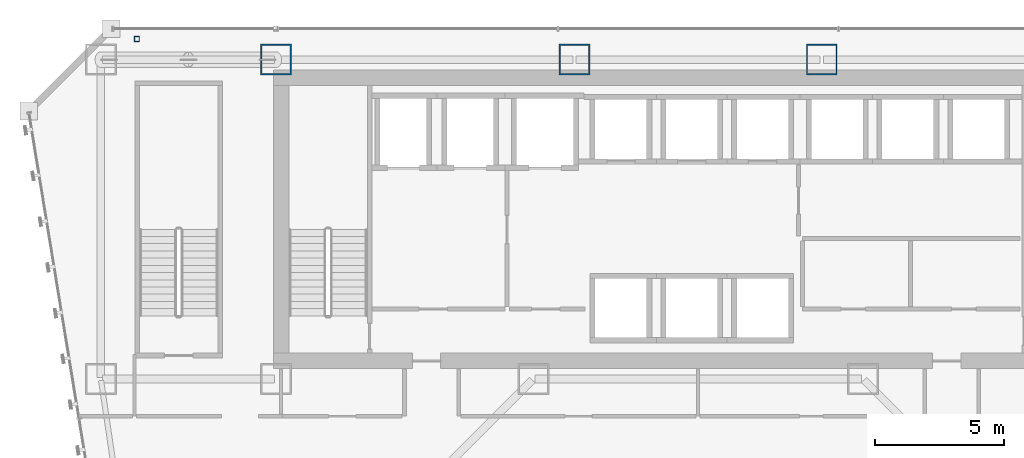
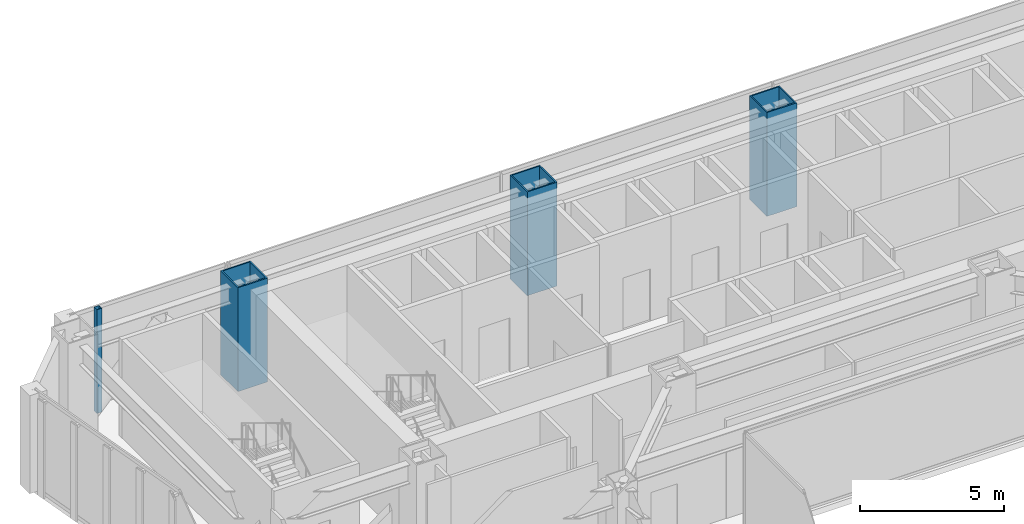
# One storey, part 2 of 47: 4 columns.
"""IFC4 building model written with IfcOpenShell, lengths in metres."""

from ifc_helpers import new_model, si_unit, direction, frame, origin, origin_2d, place, context, subcontext, project, spatial, hollow_rectangle, extrude, material, material_profile, profile_set, type_object, element, save


model = new_model("IFC4")

# Units and contexts
model_context = context("Model", 3, precision=1e-05, world=origin(), true_north=direction((0.0, 1.0)))
body_context = subcontext(model_context, "Body", "Model", "MODEL_VIEW")
ifc_project = project(units=[si_unit("LENGTHUNIT", "METRE"), si_unit("AREAUNIT", "SQUARE_METRE"), si_unit("VOLUMEUNIT", "CUBIC_METRE"), si_unit("PLANEANGLEUNIT", "RADIAN"), si_unit("MASSUNIT", "GRAM", prefix="KILO")], contexts=[model_context])

# Site, building, storey
site_placement = place(None, origin())
site = spatial("IfcSite", under=ifc_project, at=site_placement, CompositionType="ELEMENT")
building_placement = place(site_placement, origin())
building = spatial("IfcBuilding", under=site, at=building_placement, Name="Saevonmaru Cultural Tower", CompositionType="ELEMENT")
storey_placement = place(building_placement, frame((0.0, 0.0, 51.60009765625)))
storey = spatial("IfcBuildingStorey", under=building, at=storey_placement, Name="L10", CompositionType="ELEMENT", Elevation=51.60009765625)

# Columns
ifc_material_1 = material(Name="Steel HSA600 (600 MPa)", Category="steel")
ifc_material_profile_1 = material_profile(ifc_material_1, hollow_rectangle(XDim=1.199951171875, YDim=1.199951171875, WallThickness=0.054931640625, at=origin_2d()), Name="BOX-1200x1200x55")
ifc_profile_set_1 = profile_set([ifc_material_profile_1], Name="Steel HSA600 (600 MPa)")
column_type_1 = type_object("IfcColumnType", Name="COL-BOX-1200", PredefinedType="COLUMN", material=ifc_profile_set_1)
for number, where, z_axis, x_axis, name in (
    (1, (13.60009765625, 54.800048828125, 0.0), (0.0, 0.0, 1.0), (1.0, 0.0, 0.0), "L10 Column TC-N2N"),
    (2, (25.199951171875, 54.800048828125, 0.0), (0.0, 0.0, 1.0), (1.0, 0.0, 0.0), "L10 Column TC-N3N"),
    (3, (34.800048828125, 54.800048828125, 0.0), (0.0, 0.0, 1.0), (1.0, 0.0, 0.0), "L10 Column TC-N4N"),
):
    element("IfcColumn", number, at=place(storey_placement, frame(where, z_axis=z_axis, x_axis=x_axis)), inside=storey, type_object=column_type_1, Name=name, PredefinedType="COLUMN", context=body_context, shape_type="SweptSolid", body=[
        extrude(hollow_rectangle(XDim=1.199951171875, YDim=1.199951171875, WallThickness=0.054931640625, at=origin_2d()), origin(), (0.0, 0.0, 1.0), 4.39990234375),
    ])
ifc_material_2 = material(Name="Steel SM355", Category="steel")
ifc_material_profile_2 = material_profile(ifc_material_2, hollow_rectangle(XDim=0.199951171875, YDim=0.199951171875, WallThickness=0.010009765625, at=origin_2d()), Name="SHS-200x200x10")
ifc_profile_set_2 = profile_set([ifc_material_profile_2], Name="Steel SM355")
column_type_2 = type_object("IfcColumnType", Name="PIL-SHS-200", PredefinedType="PILASTER", material=ifc_profile_set_2)
column_placement = place(storey_placement, frame((8.199951171875, 55.60009765625, 0.0), z_axis=(0.0, 0.0, 1.0), x_axis=(1.0, 0.0, 0.0)))
element("IfcColumn", 4, at=column_placement, inside=storey, type_object=column_type_2, Name="L10 Art Deco Bronze-Clad Pilaster PIL-NW", PredefinedType="PILASTER", context=body_context, shape_type="SweptSolid", body=[
    extrude(hollow_rectangle(XDim=0.199951171875, YDim=0.199951171875, WallThickness=0.010009765625, at=origin_2d()), origin(), (0.0, 0.0, 1.0), 4.39990234375),
])

save(model, "model.ifc")
